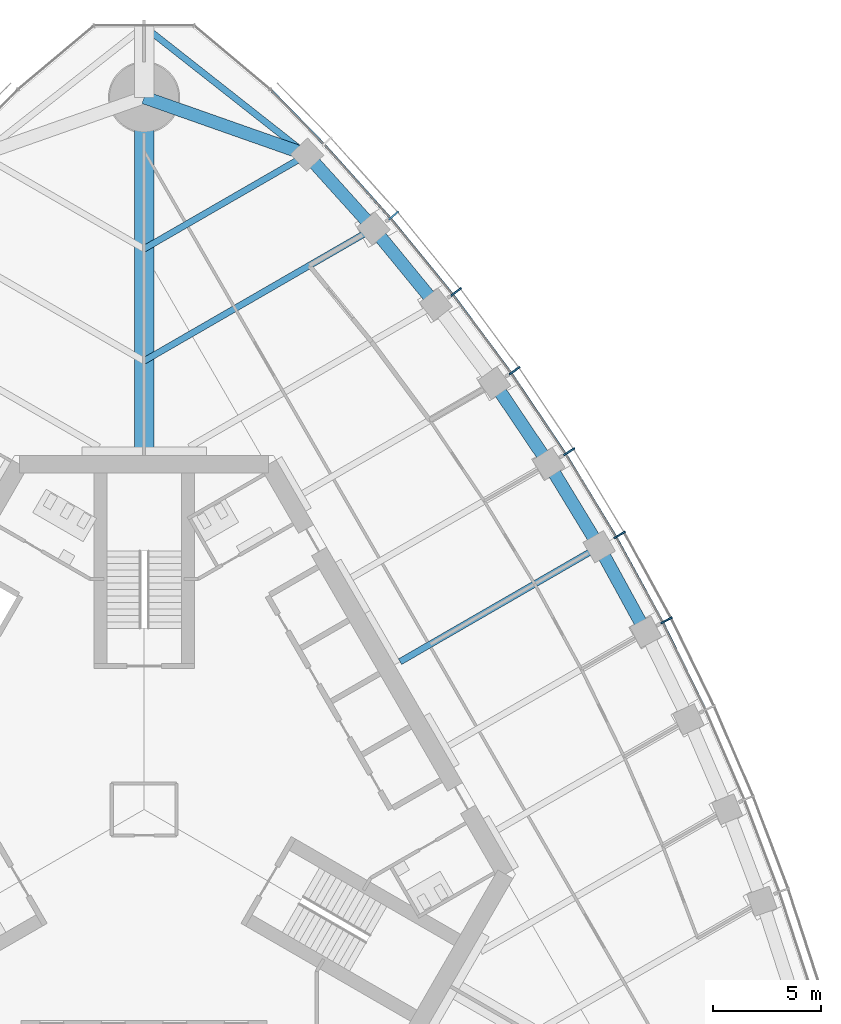
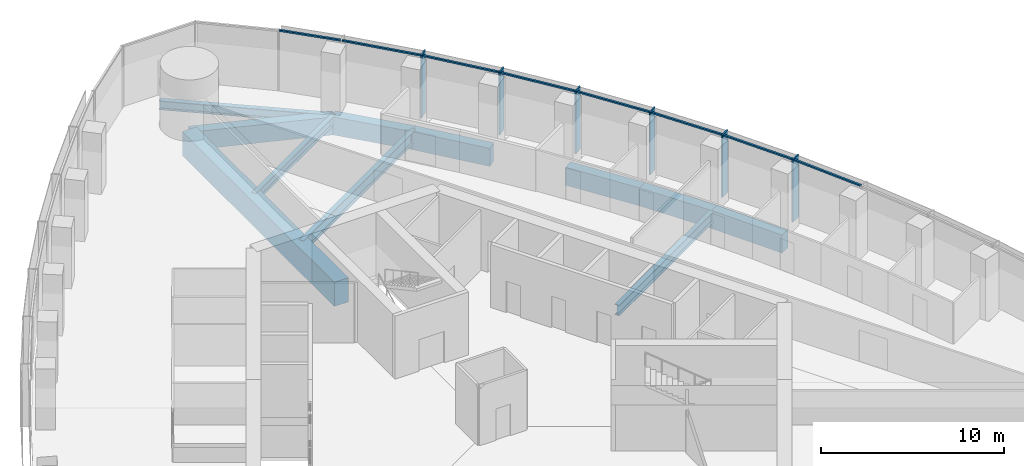
# One storey, part 7 of 20: 14 members, 11 beams, 1 element without a shape of its own.
"""IFC4 building model written with IfcOpenShell, lengths in metres."""

from ifc_helpers import new_model, si_unit, direction, frame, origin, origin_2d, place, context, subcontext, project, spatial, rectangle, i_section, extrude, material, material_profile, profile_set, type_object, element, aggregate, save


model = new_model("IFC4")

# Units and contexts
model_context = context("Model", 3, precision=1e-05, world=origin(), true_north=direction((0.0, 1.0)))
body_context = subcontext(model_context, "Body", "Model", "MODEL_VIEW")
ifc_project = project(units=[si_unit("LENGTHUNIT", "METRE"), si_unit("AREAUNIT", "SQUARE_METRE"), si_unit("VOLUMEUNIT", "CUBIC_METRE"), si_unit("PLANEANGLEUNIT", "RADIAN"), si_unit("MASSUNIT", "GRAM", prefix="KILO")], contexts=[model_context])

# Site, building, storey
site_placement = place(None, origin())
site = spatial("IfcSite", under=ifc_project, at=site_placement, CompositionType="ELEMENT")
building_placement = place(site_placement, origin())
building = spatial("IfcBuilding", under=site, at=building_placement, Name="Trefoil Bronze Tower", CompositionType="ELEMENT")
storey_placement = place(building_placement, frame((0.0, 0.0, 210.699951171875)))
storey = spatial("IfcBuildingStorey", under=building, at=storey_placement, Name="L48", CompositionType="ELEMENT", Elevation=210.699951171875)

# Curtain wall, members
ifc_material_1 = material(Name="Tinted solar-control glass", Category="glass")
curtain_wall_type = type_object("IfcCurtainWallType", Name="Bronze office curtain wall", PredefinedType="USERDEFINED", material=ifc_material_1)
curtain_wall_placement = place(storey_placement, origin())
curtain_wall = element("IfcCurtainWall", 1, at=curtain_wall_placement, inside=storey, type_object=curtain_wall_type, Name="CW-A L48 F2", ObjectType="CURTAIN WALL", PredefinedType="USERDEFINED")
ifc_material_2 = material(Name="Bronze-finish aluminium", Category="aluminium")
ifc_material_profile_1 = material_profile(ifc_material_2, rectangle(XDim=0.60009765625, YDim=0.080078125, at=origin_2d()), Name="CW-A mullion")
ifc_profile_set_1 = profile_set([ifc_material_profile_1], Name="Bronze-finish aluminium")
member_type_1 = type_object("IfcMemberType", Name="Bronze office curtain wall mullion", PredefinedType="MULLION", material=ifc_profile_set_1)
member_1_placement = place(storey_placement, frame((24.2080078125, 8.764404296875, 0.0), z_axis=(0.0, 0.0, 1.0), x_axis=(-0.888088206965, -0.459673075837, 0.0)))
member_1 = element("IfcMember", 2, at=member_1_placement, type_object=member_type_1, Name="CW-A L48 F2 mullion 6", PredefinedType="MULLION", context=body_context, shape_type="SweptSolid", body=[
    extrude(rectangle(XDim=0.60009765625, YDim=0.080078125, at=origin_2d()), origin(), (0.0, 0.0, 1.0), 4.179931640625),
])
member_2_placement = place(storey_placement, frame((22.041015625, 12.725341796875, 0.0), z_axis=(0.0, 0.0, 1.0), x_axis=(-0.866025403784, -0.5, 0.0)))
member_2 = element("IfcMember", 3, at=member_2_placement, type_object=member_type_1, Name="CW-A L48 F2 mullion 7", PredefinedType="MULLION", context=body_context, shape_type="SweptSolid", body=[
    extrude(rectangle(XDim=0.60009765625, YDim=0.080078125, at=origin_2d()), origin(), (0.0, 0.0, 1.0), 4.179931640625),
])
member_3_placement = place(storey_placement, frame((19.694091796875, 16.58251953125, 0.0), z_axis=(0.0, 0.0, 1.0), x_axis=(-0.842132664593, -0.539270410114, 0.0)))
member_3 = element("IfcMember", 4, at=member_3_placement, type_object=member_type_1, Name="CW-A L48 F2 mullion 8", PredefinedType="MULLION", context=body_context, shape_type="SweptSolid", body=[
    extrude(rectangle(XDim=0.60009765625, YDim=0.080078125, at=origin_2d()), origin(), (0.0, 0.0, 1.0), 4.179931640625),
])
member_4_placement = place(storey_placement, frame((17.167236328125, 20.335693359375, 0.0), z_axis=(0.0, 0.0, 1.0), x_axis=(-0.81640398396, -0.577481198806, 0.0)))
member_4 = element("IfcMember", 5, at=member_4_placement, type_object=member_type_1, Name="CW-A L48 F2 mullion 9", PredefinedType="MULLION", context=body_context, shape_type="SweptSolid", body=[
    extrude(rectangle(XDim=0.60009765625, YDim=0.080078125, at=origin_2d()), origin(), (0.0, 0.0, 1.0), 4.179931640625),
])
member_5_placement = place(storey_placement, frame((14.45849609375, 23.98388671875, 0.0), z_axis=(0.0, 0.0, 1.0), x_axis=(-0.788821461078, -0.614622406476, 0.0)))
member_5 = element("IfcMember", 6, at=member_5_placement, type_object=member_type_1, Name="CW-A L48 F2 mullion 10", PredefinedType="MULLION", context=body_context, shape_type="SweptSolid", body=[
    extrude(rectangle(XDim=0.60009765625, YDim=0.080078125, at=origin_2d()), origin(), (0.0, 0.0, 1.0), 4.179931640625),
])
member_6_placement = place(storey_placement, frame((11.564697265625, 27.525146484375, 0.0), z_axis=(0.0, 0.0, 1.0), x_axis=(-0.75935470958, -0.650676897576, 0.0)))
member_6 = element("IfcMember", 7, at=member_6_placement, type_object=member_type_1, Name="CW-A L48 F2 mullion 11", PredefinedType="MULLION", context=body_context, shape_type="SweptSolid", body=[
    extrude(rectangle(XDim=0.60009765625, YDim=0.080078125, at=origin_2d()), origin(), (0.0, 0.0, 1.0), 4.179931640625),
])
ifc_material_3 = material(Name="Bronze-finish aluminium", Category="aluminium")
ifc_material_profile_2 = material_profile(ifc_material_3, rectangle(XDim=0.1201171875, YDim=0.10009765625, at=origin_2d()), Name="CW-A transom")
ifc_profile_set_2 = profile_set([ifc_material_profile_2], Name="Bronze-finish aluminium")
member_type_2 = type_object("IfcMemberType", Name="Bronze office curtain wall transom", PredefinedType="USERDEFINED", material=ifc_profile_set_2)
member_7_placement = place(storey_placement, frame((25.99462890625, 4.65380859375, 4.130126953125), z_axis=(-0.439150835991, 0.898413347657, 0.0), x_axis=(-0.898413347657, -0.439150835991, 0.0)))
member_7 = element("IfcMember", 8, at=member_7_placement, type_object=member_type_2, Name="CW-A L48 F2 transom 5", ObjectType="TRANSOM", PredefinedType="USERDEFINED", context=body_context, shape_type="SweptSolid", body=[
    extrude(rectangle(XDim=0.1201171875, YDim=0.10009765625, at=origin_2d()), origin(), (0.0, 0.0, 1.0), 4.430908203125),
])
member_8_placement = place(storey_placement, frame((24.010009765625, 8.70947265625, 4.130126953125), z_axis=(-0.479973729071, 0.877282861683, 0.0), x_axis=(-0.877282861683, -0.479973729071, 0.0)))
member_8 = element("IfcMember", 9, at=member_8_placement, type_object=member_type_2, Name="CW-A L48 F2 transom 6", ObjectType="TRANSOM", PredefinedType="USERDEFINED", context=body_context, shape_type="SweptSolid", body=[
    extrude(rectangle(XDim=0.1201171875, YDim=0.10009765625, at=origin_2d()), origin(), (0.0, 0.0, 1.0), 4.421142578125),
])
member_9_placement = place(storey_placement, frame((21.845703125, 12.661376953125, 4.130126953125), z_axis=(-0.519740214649, 0.854324358354, 0.0), x_axis=(-0.854324358354, -0.519740214649, 0.0)))
member_9 = element("IfcMember", 10, at=member_9_placement, type_object=member_type_2, Name="CW-A L48 F2 transom 7", ObjectType="TRANSOM", PredefinedType="USERDEFINED", context=body_context, shape_type="SweptSolid", body=[
    extrude(rectangle(XDim=0.1201171875, YDim=0.10009765625, at=origin_2d()), origin(), (0.0, 0.0, 1.0), 4.421142578125),
])
member_10_placement = place(storey_placement, frame((19.502197265625, 16.509765625, 4.130126953125), z_axis=(-0.558509087547, 0.829498402125, 0.0), x_axis=(-0.829498402125, -0.558509087547, 0.0)))
member_10 = element("IfcMember", 11, at=member_10_placement, type_object=member_type_2, Name="CW-A L48 F2 transom 8", ObjectType="TRANSOM", PredefinedType="USERDEFINED", context=body_context, shape_type="SweptSolid", body=[
    extrude(rectangle(XDim=0.1201171875, YDim=0.10009765625, at=origin_2d()), origin(), (0.0, 0.0, 1.0), 4.4306640625),
])
member_11_placement = place(storey_placement, frame((16.978759765625, 20.254150390625, 4.130126953125), z_axis=(-0.59614822717, 0.802874393191, 0.0), x_axis=(-0.802874393191, -0.59614822717, 0.0)))
member_11 = element("IfcMember", 12, at=member_11_placement, type_object=member_type_2, Name="CW-A L48 F2 transom 9", ObjectType="TRANSOM", PredefinedType="USERDEFINED", context=body_context, shape_type="SweptSolid", body=[
    extrude(rectangle(XDim=0.1201171875, YDim=0.10009765625, at=origin_2d()), origin(), (0.0, 0.0, 1.0), 4.449951171875),
])
member_12_placement = place(storey_placement, frame((14.27392578125, 23.8935546875, 4.130126953125), z_axis=(-0.632756871921, 0.774350528531, 0.0), x_axis=(-0.774350528531, -0.632756871921, 0.0)))
member_12 = element("IfcMember", 13, at=member_12_placement, type_object=member_type_2, Name="CW-A L48 F2 transom 10", ObjectType="TRANSOM", PredefinedType="USERDEFINED", context=body_context, shape_type="SweptSolid", body=[
    extrude(rectangle(XDim=0.1201171875, YDim=0.10009765625, at=origin_2d()), origin(), (0.0, 0.0, 1.0), 4.4794921875),
])
member_13_placement = place(storey_placement, frame((11.384521484375, 27.426513671875, 4.130126953125), z_axis=(-0.66825109551, 0.743935799213, 0.0), x_axis=(-0.743935799213, -0.66825109551, 0.0)))
member_13 = element("IfcMember", 14, at=member_13_placement, type_object=member_type_2, Name="CW-A L48 F2 transom 11", ObjectType="TRANSOM", PredefinedType="USERDEFINED", context=body_context, shape_type="SweptSolid", body=[
    extrude(rectangle(XDim=0.1201171875, YDim=0.10009765625, at=origin_2d()), origin(), (0.0, 0.0, 1.0), 4.519287109375),
])
member_14_placement = place(storey_placement, frame((8.306884765625, 30.85009765625, 4.130126953125), z_axis=(-0.698646935368, 0.715466602785, 0.0), x_axis=(-0.715466602785, -0.698646935368, 0.0)))
member_14 = element("IfcMember", 15, at=member_14_placement, type_object=member_type_2, Name="CW-A L48 F2 transom 12", ObjectType="TRANSOM", PredefinedType="USERDEFINED", context=body_context, shape_type="SweptSolid", body=[
    extrude(rectangle(XDim=0.1201171875, YDim=0.10009765625, at=origin_2d()), origin(), (0.0, 0.0, 1.0), 3.483642578125),
])
aggregate(curtain_wall, [member_1, member_2, member_3, member_4, member_5, member_6, member_7, member_8, member_9, member_10, member_11, member_12, member_13, member_14])

# Beams
ifc_material_4 = material(Name="Steel C355", Category="steel")
ifc_material_profile_3 = material_profile(ifc_material_4, i_section(OverallWidth=0.300048828125, OverallDepth=0.60009765625, WebThickness=0.015380859375, FlangeThickness=0.030029296875, FilletRadius=0.027099609375, at=origin_2d()), Name="HEB 600")
ifc_profile_set_3 = profile_set([ifc_material_profile_3], Name="Steel C355")
beam_type_1 = type_object("IfcBeamType", Name="Corner edge beam HEB 600", PredefinedType="BEAM", material=ifc_profile_set_3)
beam_1_placement = place(storey_placement, frame((7.552001953125, 30.3408203125, -0.5), z_axis=(-0.785805912008, 0.618473175371, 0.0), x_axis=(-0.618473175371, -0.785805912008, 0.0)))
element("IfcBeam", 16, at=beam_1_placement, inside=storey, type_object=beam_type_1, Name="Corner edge beam F2A L48", PredefinedType="BEAM", context=body_context, shape_type="SweptSolid", body=[
    extrude(i_section(OverallWidth=0.300048828125, OverallDepth=0.60009765625, WebThickness=0.015380859375, FlangeThickness=0.030029296875, FilletRadius=0.027099609375, at=origin_2d()), origin(), (0.0, 0.0, 1.0), 9.610595703125),
])
ifc_material_5 = material(Name="Concrete B80", Category="concrete")
ifc_material_profile_4 = material_profile(ifc_material_5, rectangle(XDim=0.89990234375, YDim=1.60009765625, at=origin_2d()), Name="RC 900x1600")
ifc_profile_set_4 = profile_set([ifc_material_profile_4], Name="Concrete B80")
beam_type_2 = type_object("IfcBeamType", Name="Corner girder RC 900x1600", PredefinedType="BEAM", material=ifc_profile_set_4)
beam_2_placement = place(storey_placement, frame((0.0, 16.39990234375, -1.0), z_axis=(0.0, 1.0, 0.0), x_axis=(-1.0, 0.0, 0.0)))
element("IfcBeam", 17, at=beam_2_placement, inside=storey, type_object=beam_type_2, Name="Corner girder K2 L48", PredefinedType="BEAM", context=body_context, shape_type="SweptSolid", body=[
    extrude(rectangle(XDim=0.89990234375, YDim=1.60009765625, at=origin_2d()), origin(), (0.0, 0.0, 1.0), 16.60009765625),
])
ifc_material_6 = material(Name="Concrete B80", Category="concrete")
ifc_material_profile_5 = material_profile(ifc_material_6, rectangle(XDim=0.60009765625, YDim=1.199951171875, at=origin_2d()), Name="RC 600x1200")
ifc_profile_set_5 = profile_set([ifc_material_profile_5], Name="Concrete B80")
beam_type_3 = type_object("IfcBeamType", Name="End spandrel beam RC 600x1200", PredefinedType="SPANDREL", material=ifc_profile_set_5)
beam_3_placement = place(storey_placement, frame((7.552001953125, 30.3408203125, -0.800048828125), z_axis=(-0.943234397359, 0.332127794137, 0.0), x_axis=(-0.332127794137, -0.943234397359, 0.0)))
element("IfcBeam", 18, at=beam_3_placement, inside=storey, type_object=beam_type_3, Name="Spandrel F2.12 L48", PredefinedType="SPANDREL", context=body_context, shape_type="SweptSolid", body=[
    extrude(rectangle(XDim=0.60009765625, YDim=1.199951171875, at=origin_2d()), origin(), (0.0, 0.0, 1.0), 8.006591796875),
])
ifc_material_7 = material(Name="Steel C355", Category="steel")
ifc_material_profile_6 = material_profile(ifc_material_7, i_section(OverallWidth=0.300048828125, OverallDepth=0.590087890625, WebThickness=0.012939453125, FlangeThickness=0.02490234375, FilletRadius=0.027099609375, at=origin_2d()), Name="HEA 600")
ifc_profile_set_6 = profile_set([ifc_material_profile_6], Name="Steel C355")
beam_type_4 = type_object("IfcBeamType", Name="Floor beam HEA 600", PredefinedType="BEAM", material=ifc_profile_set_6)
beam_4_placement = place(storey_placement, frame((7.552001953125, 30.3408203125, -0.494873046875), z_axis=(-0.866027535932, -0.499996306993, 0.0), x_axis=(0.499996306993, -0.866027535932, 0.0)))
element("IfcBeam", 19, at=beam_4_placement, inside=storey, type_object=beam_type_4, Name="Floor beam F2/+5 L48", PredefinedType="BEAM", context=body_context, shape_type="SweptSolid", body=[
    extrude(i_section(OverallWidth=0.300048828125, OverallDepth=0.590087890625, WebThickness=0.012939453125, FlangeThickness=0.02490234375, FilletRadius=0.027099609375, at=origin_2d()), origin(), (0.0, 0.0, 1.0), 8.72021484375),
])
ifc_material_8 = material(Name="Steel C355", Category="steel")
ifc_material_profile_7 = material_profile(ifc_material_8, i_section(OverallWidth=0.300048828125, OverallDepth=0.699951171875, WebThickness=0.01708984375, FlangeThickness=0.031982421875, FilletRadius=0.027099609375, at=origin_2d()), Name="HEB 700")
ifc_profile_set_7 = profile_set([ifc_material_profile_7], Name="Steel C355")
beam_type_5 = type_object("IfcBeamType", Name="Floor beam HEB 700", PredefinedType="BEAM", material=ifc_profile_set_7)
beam_5_placement = place(storey_placement, frame((21.08837890625, 12.17529296875, -0.550048828125), z_axis=(-0.866034044198, -0.499985034066, 0.0), x_axis=(0.499985034066, -0.866034044198, 0.0)))
element("IfcBeam", 20, at=beam_5_placement, inside=storey, type_object=beam_type_5, Name="Floor beam F2/+0 L48", PredefinedType="BEAM", context=body_context, shape_type="SweptSolid", body=[
    extrude(i_section(OverallWidth=0.300048828125, OverallDepth=0.699951171875, WebThickness=0.01708984375, FlangeThickness=0.031982421875, FilletRadius=0.027099609375, at=origin_2d()), origin(), (0.0, 0.0, 1.0), 10.650634765625),
])
ifc_material_9 = material(Name="Steel C355", Category="steel")
ifc_material_profile_8 = material_profile(ifc_material_9, i_section(OverallWidth=0.300048828125, OverallDepth=0.800048828125, WebThickness=0.017578125, FlangeThickness=0.032958984375, FilletRadius=0.030029296875, at=origin_2d()), Name="HEB 800")
ifc_profile_set_8 = profile_set([ifc_material_profile_8], Name="Steel C355")
beam_type_6 = type_object("IfcBeamType", Name="Floor beam HEB 800", PredefinedType="BEAM", material=ifc_profile_set_8)
beam_6_placement = place(storey_placement, frame((10.632080078125, 26.923095703125, -0.599853515625), z_axis=(-0.866025635187, -0.499999599199, 0.0), x_axis=(0.499999599199, -0.866025635187, 0.0)))
element("IfcBeam", 21, at=beam_6_placement, inside=storey, type_object=beam_type_6, Name="Floor beam F2/+4 L48", PredefinedType="BEAM", context=body_context, shape_type="SweptSolid", body=[
    extrude(i_section(OverallWidth=0.300048828125, OverallDepth=0.800048828125, WebThickness=0.017578125, FlangeThickness=0.032958984375, FilletRadius=0.030029296875, at=origin_2d()), origin(), (0.0, 0.0, 1.0), 12.27685546875),
])
ifc_material_10 = material(Name="Concrete B80", Category="concrete")
ifc_material_profile_9 = material_profile(ifc_material_10, rectangle(XDim=0.60009765625, YDim=1.199951171875, at=origin_2d()), Name="RC 600x1200")
ifc_profile_set_9 = profile_set([ifc_material_profile_9], Name="Concrete B80")
beam_type_7 = type_object("IfcBeamType", Name="Spandrel beam RC 600x1200", PredefinedType="SPANDREL", material=ifc_profile_set_9)
for number, where, z_axis, x_axis, name in (
    (22, (23.248046875, 8.22607421875, -0.800048828125), (-0.479801903802, 0.87737684783, 0.0), (-0.87737684783, -0.479801903802, 0.0), "Spandrel F2.6 L48"),
    (23, (21.08837890625, 12.17529296875, -0.800048828125), (-0.519933181394, 0.854206934464, 0.0), (-0.854206934464, -0.519933181394, 0.0), "Spandrel F2.7 L48"),
):
    element("IfcBeam", number, at=place(storey_placement, frame(where, z_axis=z_axis, x_axis=x_axis)), inside=storey, type_object=beam_type_7, Name=name, PredefinedType="SPANDREL", context=body_context, shape_type="SweptSolid", body=[
        extrude(rectangle(XDim=0.60009765625, YDim=1.199951171875, at=origin_2d()), origin(), (0.0, 0.0, 1.0), 4.501220703125),
    ])
beam_7_placement = place(storey_placement, frame((18.748046875, 16.020263671875, -0.800048828125), z_axis=(-0.558964302753, 0.829191719838, 0.0), x_axis=(-0.829191719838, -0.558964302753, 0.0)))
element("IfcBeam", 24, at=beam_7_placement, inside=storey, type_object=beam_type_7, Name="Spandrel F2.8 L48", PredefinedType="SPANDREL", context=body_context, shape_type="SweptSolid", body=[
    extrude(rectangle(XDim=0.60009765625, YDim=1.199951171875, at=origin_2d()), origin(), (0.0, 0.0, 1.0), 4.510986328125),
])
beam_8_placement = place(storey_placement, frame((13.522216796875, 23.3955078125, -0.800048828125), z_axis=(-0.633753657863, 0.773534938542, 0.0), x_axis=(-0.773534938542, -0.633753657863, 0.0)))
element("IfcBeam", 25, at=beam_8_placement, inside=storey, type_object=beam_type_7, Name="Spandrel F2.10 L48", PredefinedType="SPANDREL", context=body_context, shape_type="SweptSolid", body=[
    extrude(rectangle(XDim=0.60009765625, YDim=1.199951171875, at=origin_2d()), origin(), (0.0, 0.0, 1.0), 4.560302734375),
])
beam_9_placement = place(storey_placement, frame((10.632080078125, 26.923095703125, -0.800048828125), z_axis=(-0.669460045872, 0.742848064534, 0.0), x_axis=(-0.742848064534, -0.669460045872, 0.0)))
element("IfcBeam", 26, at=beam_9_placement, inside=storey, type_object=beam_type_7, Name="Spandrel F2.11 L48", PredefinedType="SPANDREL", context=body_context, shape_type="SweptSolid", body=[
    extrude(rectangle(XDim=0.60009765625, YDim=1.199951171875, at=origin_2d()), origin(), (0.0, 0.0, 1.0), 4.600830078125),
])

save(model, "model.ifc")
